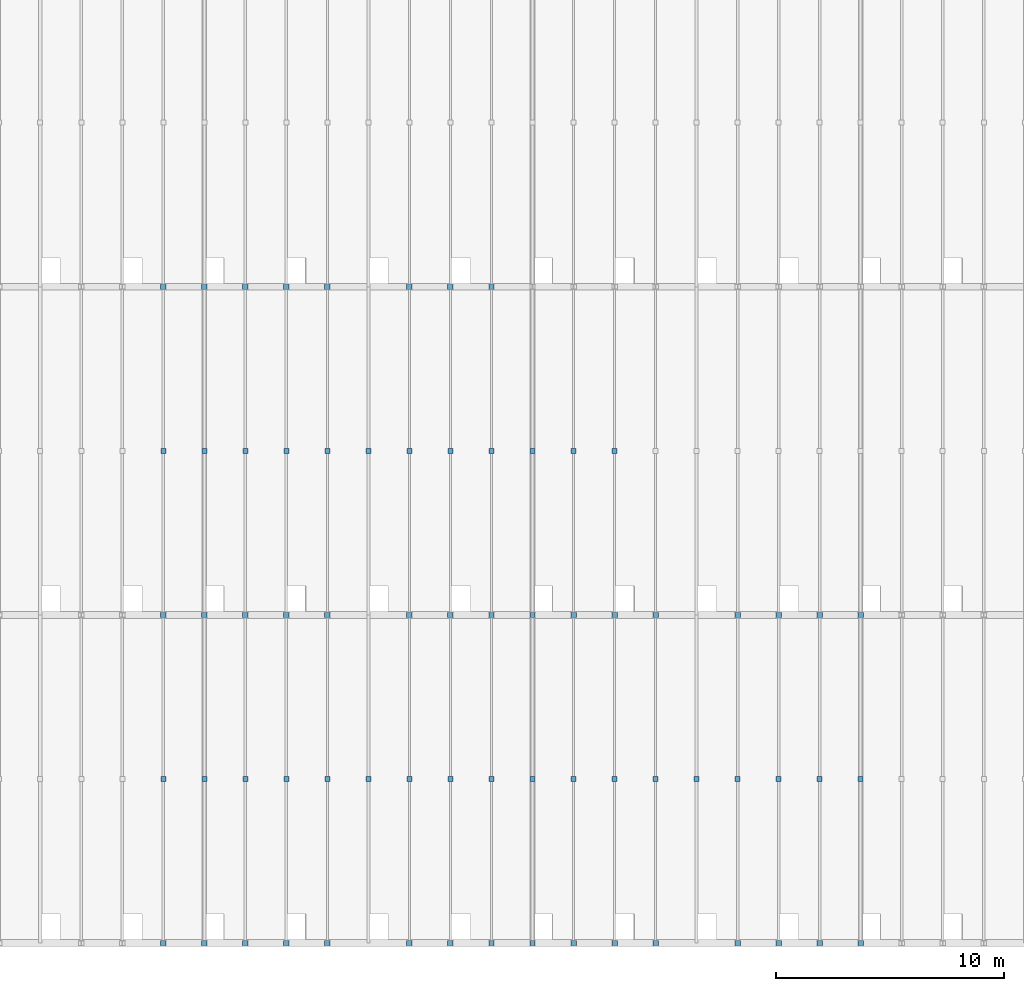
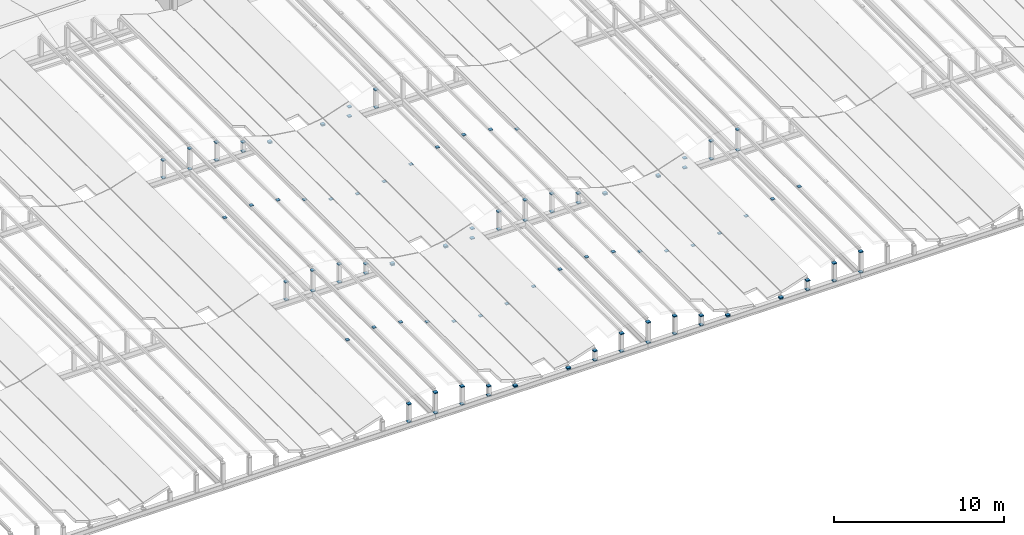
# One storey, part 75 of 83: 110 discrete accessories.
"""IFC4 building model written with IfcOpenShell, lengths in metres."""

import ifcopenshell
import ifcopenshell.guid

model = None  # the IFC model being written
_history = None  # IfcOwnerHistory: only IFC2X3 demands one
_inside = {}  # id of a spatial element -> (the spatial element, [elements in it])
_under = {}  # id of a project, library or spatial element -> (it, [spatial elements below it])
_declared = {}  # id of a project -> (the project, [libraries it declares])
_typed = {}  # id of a type object -> (the type object, [elements of that type])
_made_of = {}  # id of a material, layer set ... -> (it, [elements and type objects made of it])


def new_model(schema):
    """Start an empty IFC model of exactly this schema.

    Asked for "IFC4X3", IfcOpenShell would pick the latest addendum, in which some entities
    have other attributes; the version numbers below select the first issue.
    IFC2X3 requires an IfcOwnerHistory on every rooted entity: one is made here for all.
    """
    global model, _history
    if schema == "IFC4X3":
        model = ifcopenshell.file(schema_version=(4, 3, 0, 0))
    else:
        model = ifcopenshell.file(schema=schema)
    _inside.clear()
    _under.clear()
    _declared.clear()
    _typed.clear()
    _made_of.clear()
    _history = None
    if model.schema == "IFC2X3":
        org = make("IfcOrganization", Name="unknown")
        user = make(
            "IfcPersonAndOrganization",
            ThePerson=make("IfcPerson", FamilyName="unknown"),
            TheOrganization=org,
        )
        app = make(
            "IfcApplication",
            ApplicationDeveloper=org,
            Version="unknown",
            ApplicationFullName="unknown",
            ApplicationIdentifier="unknown",
        )
        _history = make(
            "IfcOwnerHistory",
            OwningUser=user,
            OwningApplication=app,
            ChangeAction="ADDED",
            CreationDate=0,
        )
    return model


def make(cls, **values):
    """One entity of the class cls with the attributes given. An attribute that is None is left unset."""
    return model.create_entity(
        cls, **{name: value for name, value in values.items() if value is not None}
    )


def rooted(cls, **values):
    """An entity with a GlobalId (a new one), such as an element, a storey or a relation."""
    return make(cls, GlobalId=ifcopenshell.guid.new(), OwnerHistory=_history, **values)


def si_unit(unit_type, name, prefix=None):
    """IfcSIUnit, for example si_unit("LENGTHUNIT", "METRE", prefix="MILLI")."""
    return make("IfcSIUnit", UnitType=unit_type, Prefix=prefix, Name=name)


def assignment(units):
    """IfcUnitAssignment: the units of a project."""
    return None if units is None else make("IfcUnitAssignment", Units=units)


def point(xyz):
    """IfcCartesianPoint."""
    return None if xyz is None else make("IfcCartesianPoint", Coordinates=xyz)


def direction(xyz):
    """IfcDirection."""
    return None if xyz is None else make("IfcDirection", DirectionRatios=xyz)


def frame(location, z_axis=None, x_axis=None):
    """IfcAxis2Placement3D, a coordinate frame: its origin and axes. An axis left out is left unset."""
    return make(
        "IfcAxis2Placement3D",
        Location=point(location),
        Axis=direction(z_axis),
        RefDirection=direction(x_axis),
    )


def frame_2d(location, x_axis=None):
    """IfcAxis2Placement2D, a coordinate frame in the plane: its origin and x axis."""
    return make(
        "IfcAxis2Placement2D", Location=point(location), RefDirection=direction(x_axis)
    )


def origin():
    """The frame at (0, 0, 0) with its axes left unset."""
    return frame((0.0, 0.0, 0.0))


def origin_2d():
    """The frame at (0, 0) in the plane with its x axis left unset."""
    return frame_2d((0.0, 0.0))


def place(relative_to, where):
    """IfcLocalPlacement: puts the frame where relative to a parent placement (None: the world)."""
    return make(
        "IfcLocalPlacement", PlacementRelTo=relative_to, RelativePlacement=where
    )


def context(
    kind, dimensions, precision=None, world=None, true_north=None, identifier=None
):
    """IfcGeometricRepresentationContext, for example the 3D "Model" context."""
    return make(
        "IfcGeometricRepresentationContext",
        ContextIdentifier=identifier,
        ContextType=kind,
        CoordinateSpaceDimension=dimensions,
        Precision=precision,
        WorldCoordinateSystem=world,
        TrueNorth=true_north,
    )


def subcontext(parent, identifier, kind, view, scale=None):
    """IfcGeometricRepresentationSubContext, for example "Body" below "Model"."""
    return make(
        "IfcGeometricRepresentationSubContext",
        ContextIdentifier=identifier,
        ContextType=kind,
        ParentContext=parent,
        TargetScale=scale,
        TargetView=view,
    )


def project(units=None, contexts=None):
    """IfcProject with its units and contexts."""
    return rooted(
        "IfcProject",
        Name="project",
        RepresentationContexts=contexts,
        UnitsInContext=assignment(units),
    )


def spatial(cls, under=None, at=None, **own):
    """A site, building, storey or space (cls), placed at a placement, below another one or the project."""
    s = rooted(cls, ObjectPlacement=at, **own)
    if under is not None:
        _under.setdefault(under.id(), (under, []))[1].append(s)
    return s


def profile(cls, at=None, kind="AREA", **sizes):
    """A parametric profile (cls). Its sizes go by their IFC names, for example OverallWidth=200.0."""
    return make(cls, ProfileType=kind, Position=at, **sizes)


def rectangle(**sizes):
    """IfcRectangleProfileDef."""
    return profile("IfcRectangleProfileDef", **sizes)


def extrude(swept, where, along, depth):
    """IfcExtrudedAreaSolid: the profile swept, set in the frame where, extruded along a direction by depth."""
    return make(
        "IfcExtrudedAreaSolid",
        SweptArea=swept,
        Position=where,
        ExtrudedDirection=direction(along),
        Depth=depth,
    )


def shape(context_of_items, identifier, shape_type, items):
    """IfcShapeRepresentation: the items that make up one representation, for example the "Body"."""
    return make(
        "IfcShapeRepresentation",
        ContextOfItems=context_of_items,
        RepresentationIdentifier=identifier,
        RepresentationType=shape_type,
        Items=items,
    )


def material(Name=None, Category=None):
    """IfcMaterial."""
    return make("IfcMaterial", Name=Name, Category=Category)


def made_of(thing, what):
    """Note that an element or type object is made of a material, layer set ...; save() writes the relation."""
    if what is not None:
        _made_of.setdefault(what.id(), (what, []))[1].append(thing)
    return thing


def type_object(cls, material=None, **own):
    """A type object (cls), such as IfcWallType, which elements share."""
    return made_of(rooted(cls, **own), material)


def element(
    cls,
    number,
    at=None,
    inside=None,
    cuts=None,
    type_object=None,
    material=None,
    context=None,
    identifier="Body",
    shape_type=None,
    held_by="IfcProductDefinitionShape",
    body=None,
    shapes=None,
    **own,
):
    """One element of the class cls, such as IfcWall. Its Tag is "e" and its number.

    at: its placement. inside: the storey or other place that contains it. cuts: it is an
    opening in that element (IfcRelVoidsElement). A single representation is given by context,
    identifier, shape_type and body (its items); several are given by shapes. held_by: the class
    of the entity that holds the representations. save() writes the other relations.
    """
    e = rooted(cls, Tag="e%d" % number, ObjectPlacement=at, **own)
    if body is not None:
        shapes = [shape(context, identifier, shape_type, body)]
    if shapes is not None:
        e.Representation = make(held_by, Representations=shapes)
    if inside is not None:
        _inside.setdefault(inside.id(), (inside, []))[1].append(e)
    if cuts is not None:
        rooted(
            "IfcRelVoidsElement", RelatingBuildingElement=cuts, RelatedOpeningElement=e
        )
    if type_object is not None:
        _typed.setdefault(type_object.id(), (type_object, []))[1].append(e)
    return made_of(e, material)


def aggregate(whole, parts):
    """IfcRelAggregates: a whole, such as a stair, and the parts it consists of."""
    return rooted("IfcRelAggregates", RelatingObject=whole, RelatedObjects=parts)


def save(model, path):
    """Write the relations noted so far, then the file.

    IfcRelAggregates (storeys below a building ...), IfcRelContainedInSpatialStructure (elements
    in a storey), IfcRelDefinesByType, IfcRelAssociatesMaterial and IfcRelDeclares: one each for
    every whole, place, type object, material and project.
    """
    for whole, parts in _under.values():
        aggregate(whole, parts)
    for where, things in _inside.values():
        rooted(
            "IfcRelContainedInSpatialStructure",
            RelatedElements=things,
            RelatingStructure=where,
        )
    for kind, things in _typed.values():
        rooted("IfcRelDefinesByType", RelatedObjects=things, RelatingType=kind)
    for what, things in _made_of.values():
        rooted("IfcRelAssociatesMaterial", RelatedObjects=things, RelatingMaterial=what)
    for by, libraries in _declared.values():
        rooted("IfcRelDeclares", RelatingContext=by, RelatedDefinitions=libraries)
    model.write(path)


model = new_model("IFC4")

# Units and contexts
model_context = context("Model", 3, precision=1e-05, world=origin(), true_north=direction((0.0, 1.0)))
body_context = subcontext(model_context, "Body", "Model", "MODEL_VIEW")
ifc_project = project(units=[si_unit("LENGTHUNIT", "METRE"), si_unit("AREAUNIT", "SQUARE_METRE"), si_unit("VOLUMEUNIT", "CUBIC_METRE"), si_unit("PLANEANGLEUNIT", "RADIAN"), si_unit("MASSUNIT", "GRAM", prefix="KILO")], contexts=[model_context])

# Site, building, storey
site_placement = place(None, origin())
site = spatial("IfcSite", under=ifc_project, at=site_placement, CompositionType="ELEMENT")
building_placement = place(site_placement, origin())
building = spatial("IfcBuilding", under=site, at=building_placement, Name="Leyfeld Transit Interchange", CompositionType="ELEMENT")
storey_placement = place(building_placement, frame((0.0, 0.0, 5.39990234375)))
storey = spatial("IfcBuildingStorey", under=building, at=storey_placement, Name="L01", CompositionType="ELEMENT", Elevation=5.39990234375)

# Discrete accessories
ifc_material = material(Name="Steel S355J2", Category="steel")
discrete_accessory_type = type_object("IfcDiscreteAccessoryType", Name="ACC-BRK-PUR", PredefinedType="BRACKET", material=ifc_material)
discrete_accessory_1_placement = place(storey_placement, frame((127.800048828125, 7.199951171875, 2.349609375), z_axis=(0.0, 0.0, 1.0), x_axis=(1.0, 0.0, 0.0)))
element("IfcDiscreteAccessory", 1, at=discrete_accessory_1_placement, inside=storey, type_object=discrete_accessory_type, Name="Wave Shell Purlin Cleat 098", PredefinedType="BRACKET", context=body_context, shape_type="SweptSolid", body=[
    extrude(rectangle(XDim=0.219970703125, YDim=0.219970703125, at=origin_2d()), origin(), (0.0, 0.0, 1.0), 0.050048828125),
])
for number, where, z_axis, x_axis, name in (
    (2, (127.800048828125, 0.0, 0.85009765625), (0.0, 0.0, 1.0), (1.0, 0.0, 0.0), "Riser Post Base Shoe 099"),
    (3, (127.800048828125, 0.0, 2.1298828125), (0.0, 0.0, 1.0), (1.0, 0.0, 0.0), "Riser Post Cap Shoe 099"),
):
    element("IfcDiscreteAccessory", number, at=place(storey_placement, frame(where, z_axis=z_axis, x_axis=x_axis)), inside=storey, type_object=discrete_accessory_type, Name=name, PredefinedType="BRACKET", context=body_context, shape_type="SweptSolid", body=[
        extrude(rectangle(XDim=0.239990234375, YDim=0.239990234375, at=origin_2d()), origin(), (0.0, 0.0, 1.0), 0.06005859375),
    ])
discrete_accessory_2_placement = place(storey_placement, frame((127.800048828125, 21.60009765625, 2.36572265625), z_axis=(0.0, 0.0, 1.0), x_axis=(1.0, 0.0, 0.0)))
element("IfcDiscreteAccessory", 4, at=discrete_accessory_2_placement, inside=storey, type_object=discrete_accessory_type, Name="Wave Shell Purlin Cleat 100", PredefinedType="BRACKET", context=body_context, shape_type="SweptSolid", body=[
    extrude(rectangle(XDim=0.219970703125, YDim=0.219970703125, at=origin_2d()), origin(), (0.0, 0.0, 1.0), 0.050048828125),
])
for number, where, z_axis, x_axis, name in (
    (5, (127.800048828125, 14.39990234375, 0.85009765625), (0.0, 0.0, 1.0), (1.0, 0.0, 0.0), "Riser Post Base Shoe 101"),
    (6, (127.800048828125, 14.39990234375, 2.1455078125), (0.0, 0.0, 1.0), (1.0, 0.0, 0.0), "Riser Post Cap Shoe 101"),
    (7, (127.800048828125, 28.800048828125, 0.85009765625), (0.0, 0.0, 1.0), (1.0, 0.0, 0.0), "Riser Post Base Shoe 103"),
    (8, (127.800048828125, 28.800048828125, 2.1298828125), (0.0, 0.0, 1.0), (1.0, 0.0, 0.0), "Riser Post Cap Shoe 103"),
):
    element("IfcDiscreteAccessory", number, at=place(storey_placement, frame(where, z_axis=z_axis, x_axis=x_axis)), inside=storey, type_object=discrete_accessory_type, Name=name, PredefinedType="BRACKET", context=body_context, shape_type="SweptSolid", body=[
        extrude(rectangle(XDim=0.239990234375, YDim=0.239990234375, at=origin_2d()), origin(), (0.0, 0.0, 1.0), 0.06005859375),
    ])
discrete_accessory_3_placement = place(storey_placement, frame((129.60009765625, 7.199951171875, 2.60791015625), z_axis=(0.0, 0.0, 1.0), x_axis=(1.0, 0.0, 0.0)))
element("IfcDiscreteAccessory", 9, at=discrete_accessory_3_placement, inside=storey, type_object=discrete_accessory_type, Name="Wave Shell Purlin Cleat 105", PredefinedType="BRACKET", context=body_context, shape_type="SweptSolid", body=[
    extrude(rectangle(XDim=0.219970703125, YDim=0.219970703125, at=origin_2d()), origin(), (0.0, 0.0, 1.0), 0.050048828125),
])
for number, where, z_axis, x_axis, name in (
    (10, (129.60009765625, 0.0, 0.85009765625), (0.0, 0.0, 1.0), (1.0, 0.0, 0.0), "Riser Post Base Shoe 106"),
    (11, (129.60009765625, 0.0, 2.318115234375), (0.0, 0.0, 1.0), (1.0, 0.0, 0.0), "Riser Post Cap Shoe 106"),
):
    element("IfcDiscreteAccessory", number, at=place(storey_placement, frame(where, z_axis=z_axis, x_axis=x_axis)), inside=storey, type_object=discrete_accessory_type, Name=name, PredefinedType="BRACKET", context=body_context, shape_type="SweptSolid", body=[
        extrude(rectangle(XDim=0.239990234375, YDim=0.239990234375, at=origin_2d()), origin(), (0.0, 0.0, 1.0), 0.06005859375),
    ])
discrete_accessory_4_placement = place(storey_placement, frame((129.60009765625, 21.60009765625, 2.623046875), z_axis=(0.0, 0.0, 1.0), x_axis=(1.0, 0.0, 0.0)))
element("IfcDiscreteAccessory", 12, at=discrete_accessory_4_placement, inside=storey, type_object=discrete_accessory_type, Name="Wave Shell Purlin Cleat 107", PredefinedType="BRACKET", context=body_context, shape_type="SweptSolid", body=[
    extrude(rectangle(XDim=0.219970703125, YDim=0.219970703125, at=origin_2d()), origin(), (0.0, 0.0, 1.0), 0.050048828125),
])
for number, where, z_axis, x_axis, name in (
    (13, (129.60009765625, 14.39990234375, 0.85009765625), (0.0, 0.0, 1.0), (1.0, 0.0, 0.0), "Riser Post Base Shoe 108"),
    (14, (129.60009765625, 14.39990234375, 2.333251953125), (0.0, 0.0, 1.0), (1.0, 0.0, 0.0), "Riser Post Cap Shoe 108"),
    (15, (129.60009765625, 28.800048828125, 0.85009765625), (0.0, 0.0, 1.0), (1.0, 0.0, 0.0), "Riser Post Base Shoe 110"),
    (16, (129.60009765625, 28.800048828125, 2.318115234375), (0.0, 0.0, 1.0), (1.0, 0.0, 0.0), "Riser Post Cap Shoe 110"),
):
    element("IfcDiscreteAccessory", number, at=place(storey_placement, frame(where, z_axis=z_axis, x_axis=x_axis)), inside=storey, type_object=discrete_accessory_type, Name=name, PredefinedType="BRACKET", context=body_context, shape_type="SweptSolid", body=[
        extrude(rectangle(XDim=0.239990234375, YDim=0.239990234375, at=origin_2d()), origin(), (0.0, 0.0, 1.0), 0.06005859375),
    ])
discrete_accessory_5_placement = place(storey_placement, frame((131.39990234375, 7.199951171875, 2.349609375), z_axis=(0.0, 0.0, 1.0), x_axis=(1.0, 0.0, 0.0)))
element("IfcDiscreteAccessory", 17, at=discrete_accessory_5_placement, inside=storey, type_object=discrete_accessory_type, Name="Wave Shell Purlin Cleat 112", PredefinedType="BRACKET", context=body_context, shape_type="SweptSolid", body=[
    extrude(rectangle(XDim=0.219970703125, YDim=0.219970703125, at=origin_2d()), origin(), (0.0, 0.0, 1.0), 0.050048828125),
])
for number, where, z_axis, x_axis, name in (
    (18, (131.39990234375, 0.0, 0.85009765625), (0.0, 0.0, 1.0), (1.0, 0.0, 0.0), "Riser Post Base Shoe 113"),
    (19, (131.39990234375, 0.0, 2.1298828125), (0.0, 0.0, 1.0), (1.0, 0.0, 0.0), "Riser Post Cap Shoe 113"),
):
    element("IfcDiscreteAccessory", number, at=place(storey_placement, frame(where, z_axis=z_axis, x_axis=x_axis)), inside=storey, type_object=discrete_accessory_type, Name=name, PredefinedType="BRACKET", context=body_context, shape_type="SweptSolid", body=[
        extrude(rectangle(XDim=0.239990234375, YDim=0.239990234375, at=origin_2d()), origin(), (0.0, 0.0, 1.0), 0.06005859375),
    ])
discrete_accessory_6_placement = place(storey_placement, frame((131.39990234375, 21.60009765625, 2.36572265625), z_axis=(0.0, 0.0, 1.0), x_axis=(1.0, 0.0, 0.0)))
element("IfcDiscreteAccessory", 20, at=discrete_accessory_6_placement, inside=storey, type_object=discrete_accessory_type, Name="Wave Shell Purlin Cleat 114", PredefinedType="BRACKET", context=body_context, shape_type="SweptSolid", body=[
    extrude(rectangle(XDim=0.219970703125, YDim=0.219970703125, at=origin_2d()), origin(), (0.0, 0.0, 1.0), 0.050048828125),
])
for number, where, z_axis, x_axis, name in (
    (21, (131.39990234375, 14.39990234375, 0.85009765625), (0.0, 0.0, 1.0), (1.0, 0.0, 0.0), "Riser Post Base Shoe 115"),
    (22, (131.39990234375, 14.39990234375, 2.1455078125), (0.0, 0.0, 1.0), (1.0, 0.0, 0.0), "Riser Post Cap Shoe 115"),
    (23, (131.39990234375, 28.800048828125, 0.85009765625), (0.0, 0.0, 1.0), (1.0, 0.0, 0.0), "Riser Post Base Shoe 117"),
    (24, (131.39990234375, 28.800048828125, 2.1298828125), (0.0, 0.0, 1.0), (1.0, 0.0, 0.0), "Riser Post Cap Shoe 117"),
):
    element("IfcDiscreteAccessory", number, at=place(storey_placement, frame(where, z_axis=z_axis, x_axis=x_axis)), inside=storey, type_object=discrete_accessory_type, Name=name, PredefinedType="BRACKET", context=body_context, shape_type="SweptSolid", body=[
        extrude(rectangle(XDim=0.239990234375, YDim=0.239990234375, at=origin_2d()), origin(), (0.0, 0.0, 1.0), 0.06005859375),
    ])
discrete_accessory_7_placement = place(storey_placement, frame((133.199951171875, 7.199951171875, 1.74658203125), z_axis=(0.0, 0.0, 1.0), x_axis=(1.0, 0.0, 0.0)))
element("IfcDiscreteAccessory", 25, at=discrete_accessory_7_placement, inside=storey, type_object=discrete_accessory_type, Name="Wave Shell Purlin Cleat 119", PredefinedType="BRACKET", context=body_context, shape_type="SweptSolid", body=[
    extrude(rectangle(XDim=0.219970703125, YDim=0.219970703125, at=origin_2d()), origin(), (0.0, 0.0, 1.0), 0.050048828125),
])
for number, where, z_axis, x_axis, name in (
    (26, (133.199951171875, 0.0, 0.85009765625), (0.0, 0.0, 1.0), (1.0, 0.0, 0.0), "Riser Post Base Shoe 120"),
    (27, (133.199951171875, 0.0, 1.526611328125), (0.0, 0.0, 1.0), (1.0, 0.0, 0.0), "Riser Post Cap Shoe 120"),
):
    element("IfcDiscreteAccessory", number, at=place(storey_placement, frame(where, z_axis=z_axis, x_axis=x_axis)), inside=storey, type_object=discrete_accessory_type, Name=name, PredefinedType="BRACKET", context=body_context, shape_type="SweptSolid", body=[
        extrude(rectangle(XDim=0.239990234375, YDim=0.239990234375, at=origin_2d()), origin(), (0.0, 0.0, 1.0), 0.06005859375),
    ])
discrete_accessory_8_placement = place(storey_placement, frame((133.199951171875, 21.60009765625, 1.76220703125), z_axis=(0.0, 0.0, 1.0), x_axis=(1.0, 0.0, 0.0)))
element("IfcDiscreteAccessory", 28, at=discrete_accessory_8_placement, inside=storey, type_object=discrete_accessory_type, Name="Wave Shell Purlin Cleat 121", PredefinedType="BRACKET", context=body_context, shape_type="SweptSolid", body=[
    extrude(rectangle(XDim=0.219970703125, YDim=0.219970703125, at=origin_2d()), origin(), (0.0, 0.0, 1.0), 0.050048828125),
])
for number, where, z_axis, x_axis, name in (
    (29, (133.199951171875, 14.39990234375, 0.85009765625), (0.0, 0.0, 1.0), (1.0, 0.0, 0.0), "Riser Post Base Shoe 122"),
    (30, (133.199951171875, 14.39990234375, 1.54248046875), (0.0, 0.0, 1.0), (1.0, 0.0, 0.0), "Riser Post Cap Shoe 122"),
    (31, (133.199951171875, 28.800048828125, 0.85009765625), (0.0, 0.0, 1.0), (1.0, 0.0, 0.0), "Riser Post Base Shoe 124"),
    (32, (133.199951171875, 28.800048828125, 1.526611328125), (0.0, 0.0, 1.0), (1.0, 0.0, 0.0), "Riser Post Cap Shoe 124"),
):
    element("IfcDiscreteAccessory", number, at=place(storey_placement, frame(where, z_axis=z_axis, x_axis=x_axis)), inside=storey, type_object=discrete_accessory_type, Name=name, PredefinedType="BRACKET", context=body_context, shape_type="SweptSolid", body=[
        extrude(rectangle(XDim=0.239990234375, YDim=0.239990234375, at=origin_2d()), origin(), (0.0, 0.0, 1.0), 0.06005859375),
    ])
discrete_accessory_9_placement = place(storey_placement, frame((135.0, 7.199951171875, 1.14453125), z_axis=(0.0, 0.0, 1.0), x_axis=(1.0, 0.0, 0.0)))
element("IfcDiscreteAccessory", 33, at=discrete_accessory_9_placement, inside=storey, type_object=discrete_accessory_type, Name="Wave Shell Purlin Cleat 126", PredefinedType="BRACKET", context=body_context, shape_type="SweptSolid", body=[
    extrude(rectangle(XDim=0.219970703125, YDim=0.219970703125, at=origin_2d()), origin(), (0.0, 0.0, 1.0), 0.050048828125),
])
for number, where, z_axis, x_axis, name in (
    (34, (135.0, 0.0, 0.85009765625), (0.0, 0.0, 1.0), (1.0, 0.0, 0.0), "Riser Post Base Shoe 127"),
    (35, (135.0, 0.0, 0.9248046875), (0.0, 0.0, 1.0), (1.0, 0.0, 0.0), "Riser Post Cap Shoe 127"),
):
    element("IfcDiscreteAccessory", number, at=place(storey_placement, frame(where, z_axis=z_axis, x_axis=x_axis)), inside=storey, type_object=discrete_accessory_type, Name=name, PredefinedType="BRACKET", context=body_context, shape_type="SweptSolid", body=[
        extrude(rectangle(XDim=0.239990234375, YDim=0.239990234375, at=origin_2d()), origin(), (0.0, 0.0, 1.0), 0.06005859375),
    ])
discrete_accessory_10_placement = place(storey_placement, frame((135.0, 21.60009765625, 1.16064453125), z_axis=(0.0, 0.0, 1.0), x_axis=(1.0, 0.0, 0.0)))
element("IfcDiscreteAccessory", 36, at=discrete_accessory_10_placement, inside=storey, type_object=discrete_accessory_type, Name="Wave Shell Purlin Cleat 128", PredefinedType="BRACKET", context=body_context, shape_type="SweptSolid", body=[
    extrude(rectangle(XDim=0.219970703125, YDim=0.219970703125, at=origin_2d()), origin(), (0.0, 0.0, 1.0), 0.050048828125),
])
for number, where, z_axis, x_axis, name in (
    (37, (135.0, 14.39990234375, 0.85009765625), (0.0, 0.0, 1.0), (1.0, 0.0, 0.0), "Riser Post Base Shoe 129"),
    (38, (135.0, 14.39990234375, 0.940673828125), (0.0, 0.0, 1.0), (1.0, 0.0, 0.0), "Riser Post Cap Shoe 129"),
    (39, (135.0, 28.800048828125, 0.85009765625), (0.0, 0.0, 1.0), (1.0, 0.0, 0.0), "Riser Post Base Shoe 131"),
    (40, (135.0, 28.800048828125, 0.9248046875), (0.0, 0.0, 1.0), (1.0, 0.0, 0.0), "Riser Post Cap Shoe 131"),
):
    element("IfcDiscreteAccessory", number, at=place(storey_placement, frame(where, z_axis=z_axis, x_axis=x_axis)), inside=storey, type_object=discrete_accessory_type, Name=name, PredefinedType="BRACKET", context=body_context, shape_type="SweptSolid", body=[
        extrude(rectangle(XDim=0.239990234375, YDim=0.239990234375, at=origin_2d()), origin(), (0.0, 0.0, 1.0), 0.06005859375),
    ])
for number, where, z_axis, x_axis, name in (
    (41, (136.800048828125, 7.199951171875, 0.90234375), (0.0, 0.0, 1.0), (1.0, 0.0, 0.0), "Wave Shell Purlin Cleat 133"),
    (42, (136.800048828125, 21.60009765625, 0.91796875), (0.0, 0.0, 1.0), (1.0, 0.0, 0.0), "Wave Shell Purlin Cleat 134"),
    (43, (138.60009765625, 7.199951171875, 1.14453125), (0.0, 0.0, 1.0), (1.0, 0.0, 0.0), "Wave Shell Purlin Cleat 136"),
):
    element("IfcDiscreteAccessory", number, at=place(storey_placement, frame(where, z_axis=z_axis, x_axis=x_axis)), inside=storey, type_object=discrete_accessory_type, Name=name, PredefinedType="BRACKET", context=body_context, shape_type="SweptSolid", body=[
        extrude(rectangle(XDim=0.219970703125, YDim=0.219970703125, at=origin_2d()), origin(), (0.0, 0.0, 1.0), 0.050048828125),
    ])
for number, where, z_axis, x_axis, name in (
    (44, (138.60009765625, 0.0, 0.85009765625), (0.0, 0.0, 1.0), (1.0, 0.0, 0.0), "Riser Post Base Shoe 137"),
    (45, (138.60009765625, 0.0, 0.9248046875), (0.0, 0.0, 1.0), (1.0, 0.0, 0.0), "Riser Post Cap Shoe 137"),
):
    element("IfcDiscreteAccessory", number, at=place(storey_placement, frame(where, z_axis=z_axis, x_axis=x_axis)), inside=storey, type_object=discrete_accessory_type, Name=name, PredefinedType="BRACKET", context=body_context, shape_type="SweptSolid", body=[
        extrude(rectangle(XDim=0.239990234375, YDim=0.239990234375, at=origin_2d()), origin(), (0.0, 0.0, 1.0), 0.06005859375),
    ])
discrete_accessory_11_placement = place(storey_placement, frame((138.60009765625, 21.60009765625, 1.16064453125), z_axis=(0.0, 0.0, 1.0), x_axis=(1.0, 0.0, 0.0)))
element("IfcDiscreteAccessory", 46, at=discrete_accessory_11_placement, inside=storey, type_object=discrete_accessory_type, Name="Wave Shell Purlin Cleat 138", PredefinedType="BRACKET", context=body_context, shape_type="SweptSolid", body=[
    extrude(rectangle(XDim=0.219970703125, YDim=0.219970703125, at=origin_2d()), origin(), (0.0, 0.0, 1.0), 0.050048828125),
])
for number, where, z_axis, x_axis, name in (
    (47, (138.60009765625, 14.39990234375, 0.85009765625), (0.0, 0.0, 1.0), (1.0, 0.0, 0.0), "Riser Post Base Shoe 139"),
    (48, (138.60009765625, 14.39990234375, 0.940673828125), (0.0, 0.0, 1.0), (1.0, 0.0, 0.0), "Riser Post Cap Shoe 139"),
    (49, (138.60009765625, 28.800048828125, 0.85009765625), (0.0, 0.0, 1.0), (1.0, 0.0, 0.0), "Riser Post Base Shoe 141"),
    (50, (138.60009765625, 28.800048828125, 0.9248046875), (0.0, 0.0, 1.0), (1.0, 0.0, 0.0), "Riser Post Cap Shoe 141"),
):
    element("IfcDiscreteAccessory", number, at=place(storey_placement, frame(where, z_axis=z_axis, x_axis=x_axis)), inside=storey, type_object=discrete_accessory_type, Name=name, PredefinedType="BRACKET", context=body_context, shape_type="SweptSolid", body=[
        extrude(rectangle(XDim=0.239990234375, YDim=0.239990234375, at=origin_2d()), origin(), (0.0, 0.0, 1.0), 0.06005859375),
    ])
discrete_accessory_12_placement = place(storey_placement, frame((140.39990234375, 7.199951171875, 1.74658203125), z_axis=(0.0, 0.0, 1.0), x_axis=(1.0, 0.0, 0.0)))
element("IfcDiscreteAccessory", 51, at=discrete_accessory_12_placement, inside=storey, type_object=discrete_accessory_type, Name="Wave Shell Purlin Cleat 143", PredefinedType="BRACKET", context=body_context, shape_type="SweptSolid", body=[
    extrude(rectangle(XDim=0.219970703125, YDim=0.219970703125, at=origin_2d()), origin(), (0.0, 0.0, 1.0), 0.050048828125),
])
for number, where, z_axis, x_axis, name in (
    (52, (140.39990234375, 0.0, 0.85009765625), (0.0, 0.0, 1.0), (1.0, 0.0, 0.0), "Riser Post Base Shoe 144"),
    (53, (140.39990234375, 0.0, 1.526611328125), (0.0, 0.0, 1.0), (1.0, 0.0, 0.0), "Riser Post Cap Shoe 144"),
):
    element("IfcDiscreteAccessory", number, at=place(storey_placement, frame(where, z_axis=z_axis, x_axis=x_axis)), inside=storey, type_object=discrete_accessory_type, Name=name, PredefinedType="BRACKET", context=body_context, shape_type="SweptSolid", body=[
        extrude(rectangle(XDim=0.239990234375, YDim=0.239990234375, at=origin_2d()), origin(), (0.0, 0.0, 1.0), 0.06005859375),
    ])
discrete_accessory_13_placement = place(storey_placement, frame((140.39990234375, 21.60009765625, 1.76220703125), z_axis=(0.0, 0.0, 1.0), x_axis=(1.0, 0.0, 0.0)))
element("IfcDiscreteAccessory", 54, at=discrete_accessory_13_placement, inside=storey, type_object=discrete_accessory_type, Name="Wave Shell Purlin Cleat 145", PredefinedType="BRACKET", context=body_context, shape_type="SweptSolid", body=[
    extrude(rectangle(XDim=0.219970703125, YDim=0.219970703125, at=origin_2d()), origin(), (0.0, 0.0, 1.0), 0.050048828125),
])
for number, where, z_axis, x_axis, name in (
    (55, (140.39990234375, 14.39990234375, 0.85009765625), (0.0, 0.0, 1.0), (1.0, 0.0, 0.0), "Riser Post Base Shoe 146"),
    (56, (140.39990234375, 14.39990234375, 1.54248046875), (0.0, 0.0, 1.0), (1.0, 0.0, 0.0), "Riser Post Cap Shoe 146"),
    (57, (140.39990234375, 28.800048828125, 0.85009765625), (0.0, 0.0, 1.0), (1.0, 0.0, 0.0), "Riser Post Base Shoe 148"),
    (58, (140.39990234375, 28.800048828125, 1.526611328125), (0.0, 0.0, 1.0), (1.0, 0.0, 0.0), "Riser Post Cap Shoe 148"),
):
    element("IfcDiscreteAccessory", number, at=place(storey_placement, frame(where, z_axis=z_axis, x_axis=x_axis)), inside=storey, type_object=discrete_accessory_type, Name=name, PredefinedType="BRACKET", context=body_context, shape_type="SweptSolid", body=[
        extrude(rectangle(XDim=0.239990234375, YDim=0.239990234375, at=origin_2d()), origin(), (0.0, 0.0, 1.0), 0.06005859375),
    ])
discrete_accessory_14_placement = place(storey_placement, frame((142.199951171875, 7.199951171875, 2.349609375), z_axis=(0.0, 0.0, 1.0), x_axis=(1.0, 0.0, 0.0)))
element("IfcDiscreteAccessory", 59, at=discrete_accessory_14_placement, inside=storey, type_object=discrete_accessory_type, Name="Wave Shell Purlin Cleat 150", PredefinedType="BRACKET", context=body_context, shape_type="SweptSolid", body=[
    extrude(rectangle(XDim=0.219970703125, YDim=0.219970703125, at=origin_2d()), origin(), (0.0, 0.0, 1.0), 0.050048828125),
])
for number, where, z_axis, x_axis, name in (
    (60, (142.199951171875, 0.0, 0.85009765625), (0.0, 0.0, 1.0), (1.0, 0.0, 0.0), "Riser Post Base Shoe 151"),
    (61, (142.199951171875, 0.0, 2.1298828125), (0.0, 0.0, 1.0), (1.0, 0.0, 0.0), "Riser Post Cap Shoe 151"),
):
    element("IfcDiscreteAccessory", number, at=place(storey_placement, frame(where, z_axis=z_axis, x_axis=x_axis)), inside=storey, type_object=discrete_accessory_type, Name=name, PredefinedType="BRACKET", context=body_context, shape_type="SweptSolid", body=[
        extrude(rectangle(XDim=0.239990234375, YDim=0.239990234375, at=origin_2d()), origin(), (0.0, 0.0, 1.0), 0.06005859375),
    ])
discrete_accessory_15_placement = place(storey_placement, frame((142.199951171875, 21.60009765625, 2.36572265625), z_axis=(0.0, 0.0, 1.0), x_axis=(1.0, 0.0, 0.0)))
element("IfcDiscreteAccessory", 62, at=discrete_accessory_15_placement, inside=storey, type_object=discrete_accessory_type, Name="Wave Shell Purlin Cleat 152", PredefinedType="BRACKET", context=body_context, shape_type="SweptSolid", body=[
    extrude(rectangle(XDim=0.219970703125, YDim=0.219970703125, at=origin_2d()), origin(), (0.0, 0.0, 1.0), 0.050048828125),
])
for number, where, z_axis, x_axis, name in (
    (63, (142.199951171875, 14.39990234375, 0.85009765625), (0.0, 0.0, 1.0), (1.0, 0.0, 0.0), "Riser Post Base Shoe 153"),
    (64, (142.199951171875, 14.39990234375, 2.1455078125), (0.0, 0.0, 1.0), (1.0, 0.0, 0.0), "Riser Post Cap Shoe 153"),
    (65, (142.199951171875, 28.800048828125, 0.85009765625), (0.0, 0.0, 1.0), (1.0, 0.0, 0.0), "Riser Post Base Shoe 155"),
    (66, (142.199951171875, 28.800048828125, 2.1298828125), (0.0, 0.0, 1.0), (1.0, 0.0, 0.0), "Riser Post Cap Shoe 155"),
):
    element("IfcDiscreteAccessory", number, at=place(storey_placement, frame(where, z_axis=z_axis, x_axis=x_axis)), inside=storey, type_object=discrete_accessory_type, Name=name, PredefinedType="BRACKET", context=body_context, shape_type="SweptSolid", body=[
        extrude(rectangle(XDim=0.239990234375, YDim=0.239990234375, at=origin_2d()), origin(), (0.0, 0.0, 1.0), 0.06005859375),
    ])
discrete_accessory_16_placement = place(storey_placement, frame((144.0, 7.199951171875, 2.60791015625), z_axis=(0.0, 0.0, 1.0), x_axis=(1.0, 0.0, 0.0)))
element("IfcDiscreteAccessory", 67, at=discrete_accessory_16_placement, inside=storey, type_object=discrete_accessory_type, Name="Wave Shell Purlin Cleat 157", PredefinedType="BRACKET", context=body_context, shape_type="SweptSolid", body=[
    extrude(rectangle(XDim=0.219970703125, YDim=0.219970703125, at=origin_2d()), origin(), (0.0, 0.0, 1.0), 0.050048828125),
])
for number, where, z_axis, x_axis, name in (
    (68, (144.0, 0.0, 0.85009765625), (0.0, 0.0, 1.0), (1.0, 0.0, 0.0), "Riser Post Base Shoe 158"),
    (69, (144.0, 0.0, 2.318115234375), (0.0, 0.0, 1.0), (1.0, 0.0, 0.0), "Riser Post Cap Shoe 158"),
):
    element("IfcDiscreteAccessory", number, at=place(storey_placement, frame(where, z_axis=z_axis, x_axis=x_axis)), inside=storey, type_object=discrete_accessory_type, Name=name, PredefinedType="BRACKET", context=body_context, shape_type="SweptSolid", body=[
        extrude(rectangle(XDim=0.239990234375, YDim=0.239990234375, at=origin_2d()), origin(), (0.0, 0.0, 1.0), 0.06005859375),
    ])
discrete_accessory_17_placement = place(storey_placement, frame((144.0, 21.60009765625, 2.623046875), z_axis=(0.0, 0.0, 1.0), x_axis=(1.0, 0.0, 0.0)))
element("IfcDiscreteAccessory", 70, at=discrete_accessory_17_placement, inside=storey, type_object=discrete_accessory_type, Name="Wave Shell Purlin Cleat 159", PredefinedType="BRACKET", context=body_context, shape_type="SweptSolid", body=[
    extrude(rectangle(XDim=0.219970703125, YDim=0.219970703125, at=origin_2d()), origin(), (0.0, 0.0, 1.0), 0.050048828125),
])
for number, where, z_axis, x_axis, name in (
    (71, (144.0, 14.39990234375, 0.85009765625), (0.0, 0.0, 1.0), (1.0, 0.0, 0.0), "Riser Post Base Shoe 160"),
    (72, (144.0, 14.39990234375, 2.333251953125), (0.0, 0.0, 1.0), (1.0, 0.0, 0.0), "Riser Post Cap Shoe 160"),
):
    element("IfcDiscreteAccessory", number, at=place(storey_placement, frame(where, z_axis=z_axis, x_axis=x_axis)), inside=storey, type_object=discrete_accessory_type, Name=name, PredefinedType="BRACKET", context=body_context, shape_type="SweptSolid", body=[
        extrude(rectangle(XDim=0.239990234375, YDim=0.239990234375, at=origin_2d()), origin(), (0.0, 0.0, 1.0), 0.06005859375),
    ])
discrete_accessory_18_placement = place(storey_placement, frame((145.800048828125, 7.199951171875, 2.349609375), z_axis=(0.0, 0.0, 1.0), x_axis=(1.0, 0.0, 0.0)))
element("IfcDiscreteAccessory", 73, at=discrete_accessory_18_placement, inside=storey, type_object=discrete_accessory_type, Name="Wave Shell Purlin Cleat 164", PredefinedType="BRACKET", context=body_context, shape_type="SweptSolid", body=[
    extrude(rectangle(XDim=0.219970703125, YDim=0.219970703125, at=origin_2d()), origin(), (0.0, 0.0, 1.0), 0.050048828125),
])
for number, where, z_axis, x_axis, name in (
    (74, (145.800048828125, 0.0, 0.85009765625), (0.0, 0.0, 1.0), (1.0, 0.0, 0.0), "Riser Post Base Shoe 165"),
    (75, (145.800048828125, 0.0, 2.1298828125), (0.0, 0.0, 1.0), (1.0, 0.0, 0.0), "Riser Post Cap Shoe 165"),
):
    element("IfcDiscreteAccessory", number, at=place(storey_placement, frame(where, z_axis=z_axis, x_axis=x_axis)), inside=storey, type_object=discrete_accessory_type, Name=name, PredefinedType="BRACKET", context=body_context, shape_type="SweptSolid", body=[
        extrude(rectangle(XDim=0.239990234375, YDim=0.239990234375, at=origin_2d()), origin(), (0.0, 0.0, 1.0), 0.06005859375),
    ])
discrete_accessory_19_placement = place(storey_placement, frame((145.800048828125, 21.60009765625, 2.36572265625), z_axis=(0.0, 0.0, 1.0), x_axis=(1.0, 0.0, 0.0)))
element("IfcDiscreteAccessory", 76, at=discrete_accessory_19_placement, inside=storey, type_object=discrete_accessory_type, Name="Wave Shell Purlin Cleat 166", PredefinedType="BRACKET", context=body_context, shape_type="SweptSolid", body=[
    extrude(rectangle(XDim=0.219970703125, YDim=0.219970703125, at=origin_2d()), origin(), (0.0, 0.0, 1.0), 0.050048828125),
])
for number, where, z_axis, x_axis, name in (
    (77, (145.800048828125, 14.39990234375, 0.85009765625), (0.0, 0.0, 1.0), (1.0, 0.0, 0.0), "Riser Post Base Shoe 167"),
    (78, (145.800048828125, 14.39990234375, 2.1455078125), (0.0, 0.0, 1.0), (1.0, 0.0, 0.0), "Riser Post Cap Shoe 167"),
):
    element("IfcDiscreteAccessory", number, at=place(storey_placement, frame(where, z_axis=z_axis, x_axis=x_axis)), inside=storey, type_object=discrete_accessory_type, Name=name, PredefinedType="BRACKET", context=body_context, shape_type="SweptSolid", body=[
        extrude(rectangle(XDim=0.239990234375, YDim=0.239990234375, at=origin_2d()), origin(), (0.0, 0.0, 1.0), 0.06005859375),
    ])
discrete_accessory_20_placement = place(storey_placement, frame((147.60009765625, 7.199951171875, 1.74658203125), z_axis=(0.0, 0.0, 1.0), x_axis=(1.0, 0.0, 0.0)))
element("IfcDiscreteAccessory", 79, at=discrete_accessory_20_placement, inside=storey, type_object=discrete_accessory_type, Name="Wave Shell Purlin Cleat 171", PredefinedType="BRACKET", context=body_context, shape_type="SweptSolid", body=[
    extrude(rectangle(XDim=0.219970703125, YDim=0.219970703125, at=origin_2d()), origin(), (0.0, 0.0, 1.0), 0.050048828125),
])
for number, where, z_axis, x_axis, name in (
    (80, (147.60009765625, 0.0, 0.85009765625), (0.0, 0.0, 1.0), (1.0, 0.0, 0.0), "Riser Post Base Shoe 172"),
    (81, (147.60009765625, 0.0, 1.526611328125), (0.0, 0.0, 1.0), (1.0, 0.0, 0.0), "Riser Post Cap Shoe 172"),
):
    element("IfcDiscreteAccessory", number, at=place(storey_placement, frame(where, z_axis=z_axis, x_axis=x_axis)), inside=storey, type_object=discrete_accessory_type, Name=name, PredefinedType="BRACKET", context=body_context, shape_type="SweptSolid", body=[
        extrude(rectangle(XDim=0.239990234375, YDim=0.239990234375, at=origin_2d()), origin(), (0.0, 0.0, 1.0), 0.06005859375),
    ])
discrete_accessory_21_placement = place(storey_placement, frame((147.60009765625, 21.60009765625, 1.76220703125), z_axis=(0.0, 0.0, 1.0), x_axis=(1.0, 0.0, 0.0)))
element("IfcDiscreteAccessory", 82, at=discrete_accessory_21_placement, inside=storey, type_object=discrete_accessory_type, Name="Wave Shell Purlin Cleat 173", PredefinedType="BRACKET", context=body_context, shape_type="SweptSolid", body=[
    extrude(rectangle(XDim=0.219970703125, YDim=0.219970703125, at=origin_2d()), origin(), (0.0, 0.0, 1.0), 0.050048828125),
])
for number, where, z_axis, x_axis, name in (
    (83, (147.60009765625, 14.39990234375, 0.85009765625), (0.0, 0.0, 1.0), (1.0, 0.0, 0.0), "Riser Post Base Shoe 174"),
    (84, (147.60009765625, 14.39990234375, 1.54248046875), (0.0, 0.0, 1.0), (1.0, 0.0, 0.0), "Riser Post Cap Shoe 174"),
):
    element("IfcDiscreteAccessory", number, at=place(storey_placement, frame(where, z_axis=z_axis, x_axis=x_axis)), inside=storey, type_object=discrete_accessory_type, Name=name, PredefinedType="BRACKET", context=body_context, shape_type="SweptSolid", body=[
        extrude(rectangle(XDim=0.239990234375, YDim=0.239990234375, at=origin_2d()), origin(), (0.0, 0.0, 1.0), 0.06005859375),
    ])
discrete_accessory_22_placement = place(storey_placement, frame((149.39990234375, 7.199951171875, 1.14453125), z_axis=(0.0, 0.0, 1.0), x_axis=(1.0, 0.0, 0.0)))
element("IfcDiscreteAccessory", 85, at=discrete_accessory_22_placement, inside=storey, type_object=discrete_accessory_type, Name="Wave Shell Purlin Cleat 178", PredefinedType="BRACKET", context=body_context, shape_type="SweptSolid", body=[
    extrude(rectangle(XDim=0.219970703125, YDim=0.219970703125, at=origin_2d()), origin(), (0.0, 0.0, 1.0), 0.050048828125),
])
for number, where, z_axis, x_axis, name in (
    (86, (149.39990234375, 0.0, 0.85009765625), (0.0, 0.0, 1.0), (1.0, 0.0, 0.0), "Riser Post Base Shoe 179"),
    (87, (149.39990234375, 0.0, 0.9248046875), (0.0, 0.0, 1.0), (1.0, 0.0, 0.0), "Riser Post Cap Shoe 179"),
    (88, (149.39990234375, 14.39990234375, 0.85009765625), (0.0, 0.0, 1.0), (1.0, 0.0, 0.0), "Riser Post Base Shoe 181"),
    (89, (149.39990234375, 14.39990234375, 0.940673828125), (0.0, 0.0, 1.0), (1.0, 0.0, 0.0), "Riser Post Cap Shoe 181"),
):
    element("IfcDiscreteAccessory", number, at=place(storey_placement, frame(where, z_axis=z_axis, x_axis=x_axis)), inside=storey, type_object=discrete_accessory_type, Name=name, PredefinedType="BRACKET", context=body_context, shape_type="SweptSolid", body=[
        extrude(rectangle(XDim=0.239990234375, YDim=0.239990234375, at=origin_2d()), origin(), (0.0, 0.0, 1.0), 0.06005859375),
    ])
for number, where, z_axis, x_axis, name in (
    (90, (151.199951171875, 7.199951171875, 0.90234375), (0.0, 0.0, 1.0), (1.0, 0.0, 0.0), "Wave Shell Purlin Cleat 185"),
    (91, (153.0, 7.199951171875, 1.14453125), (0.0, 0.0, 1.0), (1.0, 0.0, 0.0), "Wave Shell Purlin Cleat 188"),
):
    element("IfcDiscreteAccessory", number, at=place(storey_placement, frame(where, z_axis=z_axis, x_axis=x_axis)), inside=storey, type_object=discrete_accessory_type, Name=name, PredefinedType="BRACKET", context=body_context, shape_type="SweptSolid", body=[
        extrude(rectangle(XDim=0.219970703125, YDim=0.219970703125, at=origin_2d()), origin(), (0.0, 0.0, 1.0), 0.050048828125),
    ])
for number, where, z_axis, x_axis, name in (
    (92, (153.0, 0.0, 0.85009765625), (0.0, 0.0, 1.0), (1.0, 0.0, 0.0), "Riser Post Base Shoe 189"),
    (93, (153.0, 0.0, 0.9248046875), (0.0, 0.0, 1.0), (1.0, 0.0, 0.0), "Riser Post Cap Shoe 189"),
    (94, (153.0, 14.39990234375, 0.85009765625), (0.0, 0.0, 1.0), (1.0, 0.0, 0.0), "Riser Post Base Shoe 191"),
    (95, (153.0, 14.39990234375, 0.940673828125), (0.0, 0.0, 1.0), (1.0, 0.0, 0.0), "Riser Post Cap Shoe 191"),
):
    element("IfcDiscreteAccessory", number, at=place(storey_placement, frame(where, z_axis=z_axis, x_axis=x_axis)), inside=storey, type_object=discrete_accessory_type, Name=name, PredefinedType="BRACKET", context=body_context, shape_type="SweptSolid", body=[
        extrude(rectangle(XDim=0.239990234375, YDim=0.239990234375, at=origin_2d()), origin(), (0.0, 0.0, 1.0), 0.06005859375),
    ])
discrete_accessory_23_placement = place(storey_placement, frame((154.800048828125, 7.199951171875, 1.74658203125), z_axis=(0.0, 0.0, 1.0), x_axis=(1.0, 0.0, 0.0)))
element("IfcDiscreteAccessory", 96, at=discrete_accessory_23_placement, inside=storey, type_object=discrete_accessory_type, Name="Wave Shell Purlin Cleat 195", PredefinedType="BRACKET", context=body_context, shape_type="SweptSolid", body=[
    extrude(rectangle(XDim=0.219970703125, YDim=0.219970703125, at=origin_2d()), origin(), (0.0, 0.0, 1.0), 0.050048828125),
])
for number, where, z_axis, x_axis, name in (
    (97, (154.800048828125, 0.0, 0.85009765625), (0.0, 0.0, 1.0), (1.0, 0.0, 0.0), "Riser Post Base Shoe 196"),
    (98, (154.800048828125, 0.0, 1.526611328125), (0.0, 0.0, 1.0), (1.0, 0.0, 0.0), "Riser Post Cap Shoe 196"),
    (99, (154.800048828125, 14.39990234375, 0.85009765625), (0.0, 0.0, 1.0), (1.0, 0.0, 0.0), "Riser Post Base Shoe 198"),
    (100, (154.800048828125, 14.39990234375, 1.54248046875), (0.0, 0.0, 1.0), (1.0, 0.0, 0.0), "Riser Post Cap Shoe 198"),
):
    element("IfcDiscreteAccessory", number, at=place(storey_placement, frame(where, z_axis=z_axis, x_axis=x_axis)), inside=storey, type_object=discrete_accessory_type, Name=name, PredefinedType="BRACKET", context=body_context, shape_type="SweptSolid", body=[
        extrude(rectangle(XDim=0.239990234375, YDim=0.239990234375, at=origin_2d()), origin(), (0.0, 0.0, 1.0), 0.06005859375),
    ])
discrete_accessory_24_placement = place(storey_placement, frame((156.60009765625, 7.199951171875, 2.349609375), z_axis=(0.0, 0.0, 1.0), x_axis=(1.0, 0.0, 0.0)))
element("IfcDiscreteAccessory", 101, at=discrete_accessory_24_placement, inside=storey, type_object=discrete_accessory_type, Name="Wave Shell Purlin Cleat 202", PredefinedType="BRACKET", context=body_context, shape_type="SweptSolid", body=[
    extrude(rectangle(XDim=0.219970703125, YDim=0.219970703125, at=origin_2d()), origin(), (0.0, 0.0, 1.0), 0.050048828125),
])
for number, where, z_axis, x_axis, name in (
    (102, (156.60009765625, 0.0, 0.85009765625), (0.0, 0.0, 1.0), (1.0, 0.0, 0.0), "Riser Post Base Shoe 203"),
    (103, (156.60009765625, 0.0, 2.1298828125), (0.0, 0.0, 1.0), (1.0, 0.0, 0.0), "Riser Post Cap Shoe 203"),
    (104, (156.60009765625, 14.39990234375, 0.85009765625), (0.0, 0.0, 1.0), (1.0, 0.0, 0.0), "Riser Post Base Shoe 205"),
    (105, (156.60009765625, 14.39990234375, 2.1455078125), (0.0, 0.0, 1.0), (1.0, 0.0, 0.0), "Riser Post Cap Shoe 205"),
):
    element("IfcDiscreteAccessory", number, at=place(storey_placement, frame(where, z_axis=z_axis, x_axis=x_axis)), inside=storey, type_object=discrete_accessory_type, Name=name, PredefinedType="BRACKET", context=body_context, shape_type="SweptSolid", body=[
        extrude(rectangle(XDim=0.239990234375, YDim=0.239990234375, at=origin_2d()), origin(), (0.0, 0.0, 1.0), 0.06005859375),
    ])
discrete_accessory_25_placement = place(storey_placement, frame((158.39990234375, 7.199951171875, 2.60791015625), z_axis=(0.0, 0.0, 1.0), x_axis=(1.0, 0.0, 0.0)))
element("IfcDiscreteAccessory", 106, at=discrete_accessory_25_placement, inside=storey, type_object=discrete_accessory_type, Name="Wave Shell Purlin Cleat 209", PredefinedType="BRACKET", context=body_context, shape_type="SweptSolid", body=[
    extrude(rectangle(XDim=0.219970703125, YDim=0.219970703125, at=origin_2d()), origin(), (0.0, 0.0, 1.0), 0.050048828125),
])
for number, where, z_axis, x_axis, name in (
    (107, (158.39990234375, 0.0, 0.85009765625), (0.0, 0.0, 1.0), (1.0, 0.0, 0.0), "Riser Post Base Shoe 210"),
    (108, (158.39990234375, 0.0, 2.318115234375), (0.0, 0.0, 1.0), (1.0, 0.0, 0.0), "Riser Post Cap Shoe 210"),
    (109, (158.39990234375, 14.39990234375, 0.85009765625), (0.0, 0.0, 1.0), (1.0, 0.0, 0.0), "Riser Post Base Shoe 212"),
    (110, (158.39990234375, 14.39990234375, 2.333251953125), (0.0, 0.0, 1.0), (1.0, 0.0, 0.0), "Riser Post Cap Shoe 212"),
):
    element("IfcDiscreteAccessory", number, at=place(storey_placement, frame(where, z_axis=z_axis, x_axis=x_axis)), inside=storey, type_object=discrete_accessory_type, Name=name, PredefinedType="BRACKET", context=body_context, shape_type="SweptSolid", body=[
        extrude(rectangle(XDim=0.239990234375, YDim=0.239990234375, at=origin_2d()), origin(), (0.0, 0.0, 1.0), 0.06005859375),
    ])

save(model, "model.ifc")
